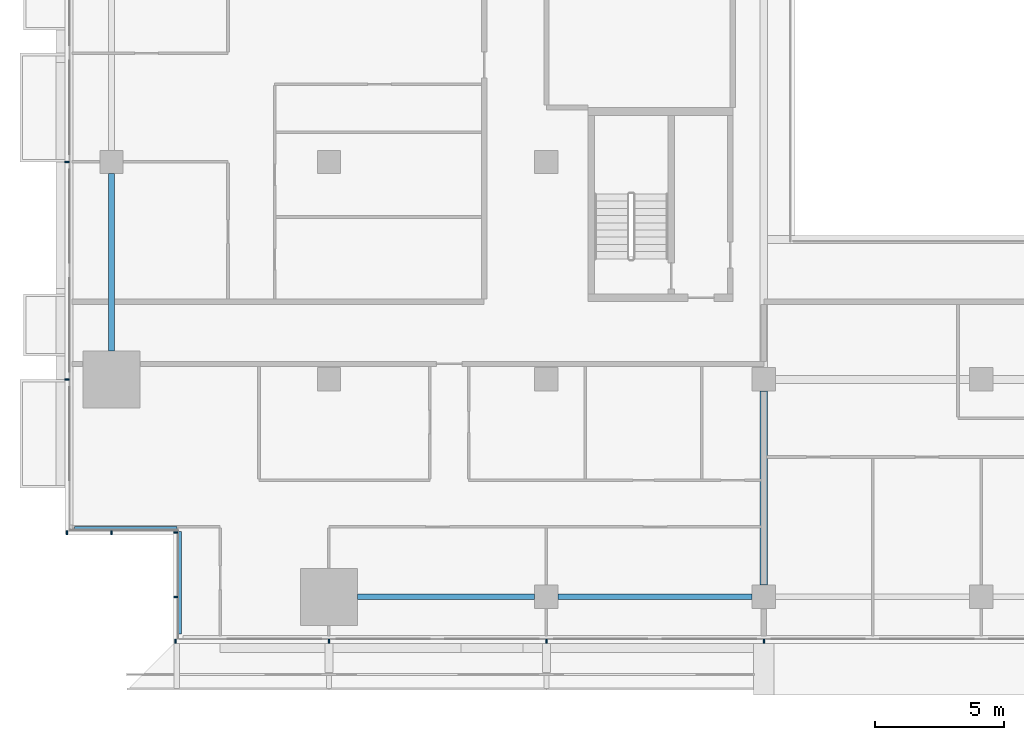
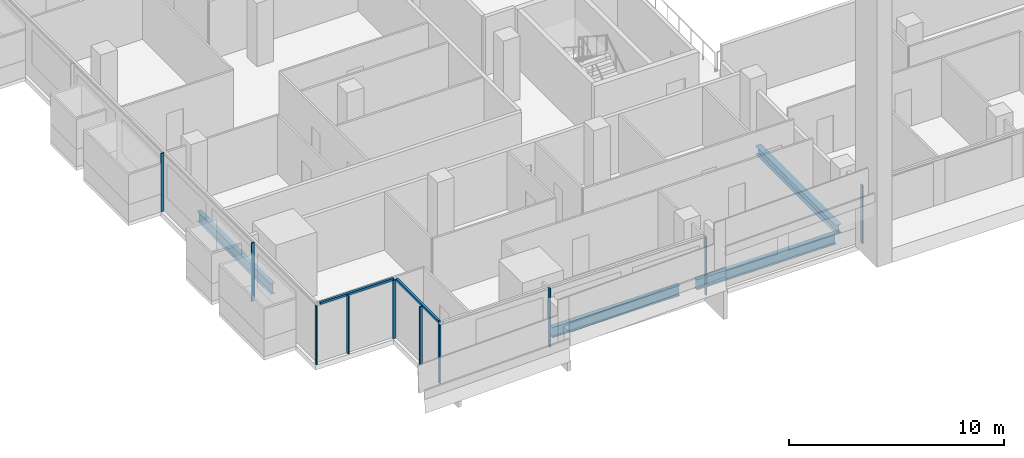
# One storey, part 2 of 30: 12 members, 4 beams, 4 elements without a shape of their own.
"""IFC4 building model written with IfcOpenShell, lengths in metres."""

from ifc_helpers import new_model, si_unit, direction, frame, origin, origin_2d, place, context, subcontext, project, spatial, rectangle, i_section, extrude, material, material_profile, profile_set, type_object, element, aggregate, save


model = new_model("IFC4")

# Units and contexts
model_context = context("Model", 3, precision=1e-05, world=origin(), true_north=direction((0.0, 1.0)))
body_context = subcontext(model_context, "Body", "Model", "MODEL_VIEW")
ifc_project = project(units=[si_unit("LENGTHUNIT", "METRE"), si_unit("AREAUNIT", "SQUARE_METRE"), si_unit("VOLUMEUNIT", "CUBIC_METRE"), si_unit("PLANEANGLEUNIT", "RADIAN"), si_unit("MASSUNIT", "GRAM", prefix="KILO")], contexts=[model_context])

# Site, building, storey
site_placement = place(None, origin())
site = spatial("IfcSite", under=ifc_project, at=site_placement, CompositionType="ELEMENT")
building_placement = place(site_placement, origin())
building = spatial("IfcBuilding", under=site, at=building_placement, Name="Saffron Gate Tower", CompositionType="ELEMENT")
storey_placement = place(building_placement, frame((0.0, 0.0, 37.199951171875)))
storey = spatial("IfcBuildingStorey", under=building, at=storey_placement, Name="L07", CompositionType="ELEMENT", Elevation=37.199951171875)

# Beams
ifc_material_1 = material(Name="Structural steel S355", Category="steel")
ifc_material_profile_1 = material_profile(ifc_material_1, i_section(OverallWidth=0.219970703125, OverallDepth=0.60009765625, WebThickness=0.011962890625, FlangeThickness=0.01904296875, FilletRadius=0.02392578125, at=origin_2d()))
ifc_profile_set_1 = profile_set([ifc_material_profile_1], Name="Structural steel S355")
beam_type_1 = type_object("IfcBeamType", Name="B16 IPE 600", PredefinedType="SPANDREL", material=ifc_profile_set_1)
for number, where, z_axis, x_axis, name in (
    (1, (49.800048828125, 41.300048828125, -0.579833984375), (0.0, 1.0, 0.0), (-1.0, 0.0, 0.0), "B16 SPANDREL BEAM"),
    (2, (59.300048828125, 31.800048828125, -0.579833984375), (1.0, 0.0, 0.0), (0.0, 1.0, 0.0), "B16 SPANDREL BEAM"),
):
    element("IfcBeam", number, at=place(storey_placement, frame(where, z_axis=z_axis, x_axis=x_axis)), inside=storey, type_object=beam_type_1, Name=name, PredefinedType="SPANDREL", context=body_context, shape_type="SweptSolid", body=[
        extrude(i_section(OverallWidth=0.219970703125, OverallDepth=0.60009765625, WebThickness=0.011962890625, FlangeThickness=0.01904296875, FilletRadius=0.02392578125, at=origin_2d()), origin(), (0.0, 0.0, 1.0), 6.849853515625),
    ])
beam_1_placement = place(storey_placement, frame((67.050048828125, 31.800048828125, -0.579833984375), z_axis=(1.0, 0.0, 0.0), x_axis=(0.0, 1.0, 0.0)))
element("IfcBeam", 3, at=beam_1_placement, inside=storey, type_object=beam_type_1, Name="B16 SPANDREL BEAM", PredefinedType="SPANDREL", context=body_context, shape_type="SweptSolid", body=[
    extrude(i_section(OverallWidth=0.219970703125, OverallDepth=0.60009765625, WebThickness=0.011962890625, FlangeThickness=0.01904296875, FilletRadius=0.02392578125, at=origin_2d()), origin(), (0.0, 0.0, 1.0), 7.5),
])
ifc_material_profile_2 = material_profile(ifc_material_1, i_section(OverallWidth=0.300048828125, OverallDepth=0.489990234375, WebThickness=0.011962890625, FlangeThickness=0.02294921875, FilletRadius=0.027099609375, at=origin_2d()))
ifc_profile_set_2 = profile_set([ifc_material_profile_2], Name="Structural steel S355")
beam_type_2 = type_object("IfcBeamType", Name="B8 HEA 500", PredefinedType="BEAM", material=ifc_profile_set_2)
beam_2_placement = place(storey_placement, frame((75.0, 32.25, -0.52490234375), z_axis=(0.0, 1.0, 0.0), x_axis=(-1.0, 0.0, 0.0)))
element("IfcBeam", 4, at=beam_2_placement, inside=storey, type_object=beam_type_2, Name="B8 FLOOR GIRDER", PredefinedType="BEAM", context=body_context, shape_type="SweptSolid", body=[
    extrude(i_section(OverallWidth=0.300048828125, OverallDepth=0.489990234375, WebThickness=0.011962890625, FlangeThickness=0.02294921875, FilletRadius=0.027099609375, at=origin_2d()), origin(), (0.0, 0.0, 1.0), 7.5),
])

# Curtain wall, members
ifc_material_2 = material(Name="Aluminium, bronze anodised", Category="aluminium")
curtain_wall_type_1 = type_object("IfcCurtainWallType", Name="CWS1 curtain wall front facade", PredefinedType="NOTDEFINED", material=ifc_material_2)
curtain_wall_1_placement = place(storey_placement, origin())
curtain_wall_1 = element("IfcCurtainWall", 5, at=curtain_wall_1_placement, inside=storey, type_object=curtain_wall_type_1, Name="CWS1 run 1", PredefinedType="NOTDEFINED")
ifc_material_profile_3 = material_profile(ifc_material_2, rectangle(XDim=0.159912109375, YDim=0.06005859375, at=origin_2d()))
ifc_profile_set_3 = profile_set([ifc_material_profile_3], Name="Aluminium, bronze anodised")
member_type_1 = type_object("IfcMemberType", Name="CWS1 mullion 60x160", PredefinedType="MULLION", material=ifc_profile_set_3)
member_1_placement = place(storey_placement, frame((52.280029296875, 30.080078125, 0.0), z_axis=(0.0, 0.0, 1.0), x_axis=(0.0, 1.0, 0.0)))
member_1 = element("IfcMember", 6, at=member_1_placement, type_object=member_type_1, Name="CWS1 mullion 1", PredefinedType="MULLION", context=body_context, shape_type="SweptSolid", body=[
    extrude(rectangle(XDim=0.159912109375, YDim=0.06005859375, at=origin_2d()), origin(), (0.0, 0.0, 1.0), 3.320068359375),
])
member_2_placement = place(storey_placement, frame((58.199951171875, 30.080078125, 0.0), z_axis=(0.0, 0.0, 1.0), x_axis=(0.0, 1.0, 0.0)))
member_2 = element("IfcMember", 7, at=member_2_placement, type_object=member_type_1, Name="CWS1 mullion 2", PredefinedType="MULLION", context=body_context, shape_type="SweptSolid", body=[
    extrude(rectangle(XDim=0.159912109375, YDim=0.06005859375, at=origin_2d()), origin(), (0.0, 0.0, 1.0), 3.320068359375),
])
member_3_placement = place(storey_placement, frame((66.60009765625, 30.080078125, 0.0), z_axis=(0.0, 0.0, 1.0), x_axis=(0.0, 1.0, 0.0)))
member_3 = element("IfcMember", 8, at=member_3_placement, type_object=member_type_1, Name="CWS1 mullion 3", PredefinedType="MULLION", context=body_context, shape_type="SweptSolid", body=[
    extrude(rectangle(XDim=0.159912109375, YDim=0.06005859375, at=origin_2d()), origin(), (0.0, 0.0, 1.0), 3.320068359375),
])
member_4_placement = place(storey_placement, frame((75.0, 30.080078125, 0.0), z_axis=(0.0, 0.0, 1.0), x_axis=(0.0, 1.0, 0.0)))
member_4 = element("IfcMember", 9, at=member_4_placement, type_object=member_type_1, Name="CWS1 mullion 4", PredefinedType="MULLION", context=body_context, shape_type="SweptSolid", body=[
    extrude(rectangle(XDim=0.159912109375, YDim=0.06005859375, at=origin_2d()), origin(), (0.0, 0.0, 1.0), 3.320068359375),
])
aggregate(curtain_wall_1, [member_1, member_2, member_3, member_4])

curtain_wall_type_2 = type_object("IfcCurtainWallType", Name="CWS2 curtain wall side facades", PredefinedType="NOTDEFINED", material=ifc_material_2)
curtain_wall_2_placement = place(storey_placement, origin())
curtain_wall_2 = element("IfcCurtainWall", 10, at=curtain_wall_2_placement, inside=storey, type_object=curtain_wall_type_2, Name="CWS2 run 10", PredefinedType="NOTDEFINED")
ifc_material_profile_4 = material_profile(ifc_material_2, rectangle(XDim=0.159912109375, YDim=0.06005859375, at=origin_2d()))
ifc_profile_set_4 = profile_set([ifc_material_profile_4], Name="Aluminium, bronze anodised")
member_type_2 = type_object("IfcMemberType", Name="CWS2 mullion 60x160", PredefinedType="MULLION", material=ifc_profile_set_4)
member_5_placement = place(storey_placement, frame((48.080078125, 48.60009765625, 0.0), z_axis=(0.0, 0.0, 1.0), x_axis=(1.0, 0.0, 0.0)))
member_5 = element("IfcMember", 11, at=member_5_placement, type_object=member_type_2, Name="CWS2 mullion 4", PredefinedType="MULLION", context=body_context, shape_type="SweptSolid", body=[
    extrude(rectangle(XDim=0.159912109375, YDim=0.06005859375, at=origin_2d()), origin(), (0.0, 0.0, 1.0), 3.320068359375),
])
member_6_placement = place(storey_placement, frame((48.080078125, 40.199951171875, 0.0), z_axis=(0.0, 0.0, 1.0), x_axis=(1.0, 0.0, 0.0)))
member_6 = element("IfcMember", 12, at=member_6_placement, type_object=member_type_2, Name="CWS2 mullion 5", PredefinedType="MULLION", context=body_context, shape_type="SweptSolid", body=[
    extrude(rectangle(XDim=0.159912109375, YDim=0.06005859375, at=origin_2d()), origin(), (0.0, 0.0, 1.0), 3.320068359375),
])
aggregate(curtain_wall_2, [member_5, member_6])

# Curtain wall, member
curtain_wall_type_3 = type_object("IfcCurtainWallType", Name="CWS4 curtain wall corner returns", PredefinedType="NOTDEFINED", material=ifc_material_2)
curtain_wall_3_placement = place(storey_placement, origin())
curtain_wall_3 = element("IfcCurtainWall", 13, at=curtain_wall_3_placement, inside=storey, type_object=curtain_wall_type_3, Name="CWS4 run 11", PredefinedType="NOTDEFINED")
ifc_material_profile_5 = material_profile(ifc_material_2, rectangle(XDim=0.1201171875, YDim=0.1201171875, at=origin_2d()))
ifc_profile_set_5 = profile_set([ifc_material_profile_5], Name="Aluminium, bronze anodised")
member_type_3 = type_object("IfcMemberType", Name="CWS4 head transom", PredefinedType="USERDEFINED", material=ifc_profile_set_5)
member_7_placement = place(storey_placement, frame((48.367919921875, 34.447998046875, 3.260009765625), z_axis=(1.0, 0.0, 0.0), x_axis=(0.0, 1.0, 0.0)))
member_7 = element("IfcMember", 14, at=member_7_placement, type_object=member_type_3, Name="CWS4 head transom", ObjectType="TRANSOM", PredefinedType="USERDEFINED", context=body_context, shape_type="SweptSolid", body=[
    extrude(rectangle(XDim=0.1201171875, YDim=0.1201171875, at=origin_2d()), origin(), (0.0, 0.0, 1.0), 3.9599609375),
])

curtain_wall_4_placement = place(storey_placement, origin())
curtain_wall_4 = element("IfcCurtainWall", 15, at=curtain_wall_4_placement, inside=storey, type_object=curtain_wall_type_3, Name="CWS4 run 12", PredefinedType="NOTDEFINED")
member_8_placement = place(storey_placement, frame((52.447998046875, 34.327880859375, 3.260009765625), z_axis=(0.0, -1.0, 0.0), x_axis=(1.0, 0.0, 0.0)))
member_8 = element("IfcMember", 16, at=member_8_placement, type_object=member_type_3, Name="CWS4 head transom", ObjectType="TRANSOM", PredefinedType="USERDEFINED", context=body_context, shape_type="SweptSolid", body=[
    extrude(rectangle(XDim=0.1201171875, YDim=0.1201171875, at=origin_2d()), origin(), (0.0, 0.0, 1.0), 3.9599609375),
])

# Member
ifc_material_profile_6 = material_profile(ifc_material_2, rectangle(XDim=0.159912109375, YDim=0.06005859375, at=origin_2d()))
ifc_profile_set_6 = profile_set([ifc_material_profile_6], Name="Aluminium, bronze anodised")
member_type_4 = type_object("IfcMemberType", Name="CWS4 mullion 60x160", PredefinedType="MULLION", material=ifc_profile_set_6)
member_9_placement = place(storey_placement, frame((48.080078125, 34.280029296875, 0.0), z_axis=(0.0, 0.0, 1.0), x_axis=(0.0, 1.0, 0.0)))
member_9 = element("IfcMember", 17, at=member_9_placement, type_object=member_type_4, Name="CWS4 mullion 1", PredefinedType="MULLION", context=body_context, shape_type="SweptSolid", body=[
    extrude(rectangle(XDim=0.159912109375, YDim=0.06005859375, at=origin_2d()), origin(), (0.0, 0.0, 1.0), 3.320068359375),
])

member_10_placement = place(storey_placement, frame((49.800048828125, 34.280029296875, 0.0), z_axis=(0.0, 0.0, 1.0), x_axis=(0.0, 1.0, 0.0)))
member_10 = element("IfcMember", 18, at=member_10_placement, type_object=member_type_4, Name="CWS4 mullion 2", PredefinedType="MULLION", context=body_context, shape_type="SweptSolid", body=[
    extrude(rectangle(XDim=0.159912109375, YDim=0.06005859375, at=origin_2d()), origin(), (0.0, 0.0, 1.0), 3.320068359375),
])

aggregate(curtain_wall_3, [member_9, member_10, member_7])

member_11_placement = place(storey_placement, frame((52.280029296875, 34.280029296875, 0.0), z_axis=(0.0, 0.0, 1.0), x_axis=(1.0, 0.0, 0.0)))
member_11 = element("IfcMember", 19, at=member_11_placement, type_object=member_type_4, Name="CWS4 mullion 1", PredefinedType="MULLION", context=body_context, shape_type="SweptSolid", body=[
    extrude(rectangle(XDim=0.159912109375, YDim=0.06005859375, at=origin_2d()), origin(), (0.0, 0.0, 1.0), 3.320068359375),
])

member_12_placement = place(storey_placement, frame((52.280029296875, 31.800048828125, 0.0), z_axis=(0.0, 0.0, 1.0), x_axis=(1.0, 0.0, 0.0)))
member_12 = element("IfcMember", 20, at=member_12_placement, type_object=member_type_4, Name="CWS4 mullion 2", PredefinedType="MULLION", context=body_context, shape_type="SweptSolid", body=[
    extrude(rectangle(XDim=0.159912109375, YDim=0.06005859375, at=origin_2d()), origin(), (0.0, 0.0, 1.0), 3.320068359375),
])

aggregate(curtain_wall_4, [member_11, member_12, member_8])

save(model, "model.ifc")
